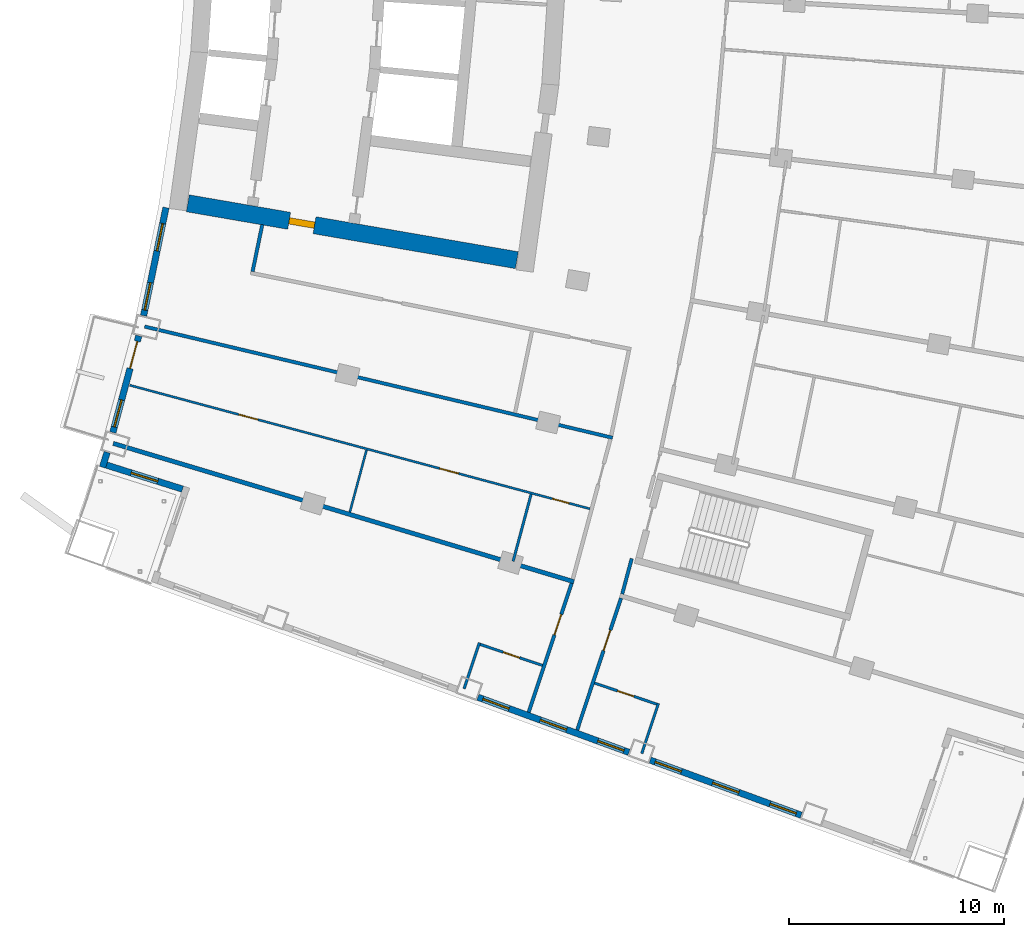
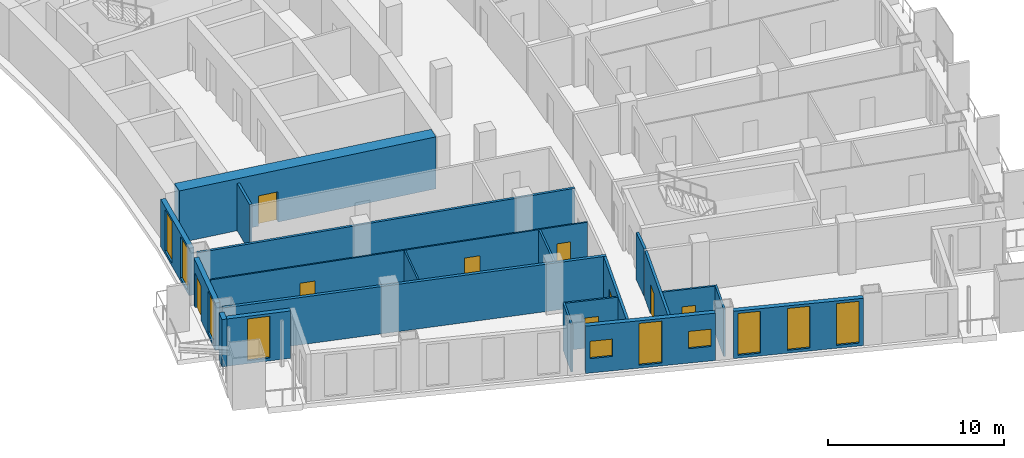
# One storey, part 13 of 24: 20 walls, 10 windows, 9 doors, 19 openings.
"""IFC4 building model written with IfcOpenShell, lengths in metres."""

from ifc_helpers import new_model, si_unit, direction, frame, frame_2d, origin, place, context, subcontext, project, spatial, rectangle, extrude, material, layer, layer_set, type_object, element, fill, save


model = new_model("IFC4")

# Units and contexts
model_context = context("Model", 3, precision=1e-05, world=origin(), true_north=direction((0.0, 1.0)))
body_context = subcontext(model_context, "Body", "Model", "MODEL_VIEW")
ifc_project = project(units=[si_unit("LENGTHUNIT", "METRE"), si_unit("AREAUNIT", "SQUARE_METRE"), si_unit("VOLUMEUNIT", "CUBIC_METRE"), si_unit("PLANEANGLEUNIT", "RADIAN"), si_unit("MASSUNIT", "GRAM", prefix="KILO")], contexts=[model_context])

# Site, building, storey
site_placement = place(None, origin())
site = spatial("IfcSite", under=ifc_project, at=site_placement, CompositionType="ELEMENT")
building_placement = place(site_placement, origin())
building = spatial("IfcBuilding", under=site, at=building_placement, Name="Alderwake Tower", CompositionType="ELEMENT")
storey_placement = place(building_placement, frame((0.0, 0.0, 96.800048828125)))
storey = spatial("IfcBuildingStorey", under=building, at=storey_placement, Name="L23", CompositionType="ELEMENT", Elevation=96.800048828125)

# Wall, opening, door
ifc_material_1 = material(Name="Concrete C70/85", Category="concrete")
ifc_layer_1 = layer(ifc_material_1, 0.800048828125)
ifc_layer_set_1 = layer_set([ifc_layer_1], Name="Core wall outer 800 C70-85")
wall_type_1 = type_object("IfcWallType", Name="Core wall outer 800 C70-85", PredefinedType="SHEAR", material=ifc_layer_set_1)
wall_1_placement = place(storey_placement, frame((31.20458984375, 41.776611328125, 0.0), z_axis=(0.0, 0.0, 1.0), x_axis=(-0.985386537175, 0.170333121719, 0.0)))
wall_1 = element("IfcWall", 1, at=wall_1_placement, inside=storey, type_object=wall_type_1, Name="Core wall CW.071", PredefinedType="SHEAR", context=body_context, shape_type="SweptSolid", body=[
    extrude(rectangle(XDim=15.537109375, YDim=0.800048828125, at=frame_2d((7.7685546875, 0.0))), origin(), (0.0, 0.0, 1.0), 3.599853515625),
])
opening_1_placement = place(wall_1_placement, frame((9.5537109375, 0.0, 0.0)))
opening_1 = element("IfcOpeningElement", 2, at=opening_1_placement, cuts=wall_1, Name="Opening C003", PredefinedType="OPENING", context=body_context, shape_type="SweptSolid", body=[
    extrude(rectangle(XDim=1.199951171875, YDim=2.10009765625, at=frame_2d((0.60009765625, 1.050048828125))), frame((0.0, 0.409912109375, 0.0), z_axis=(0.0, -1.0, 0.0), x_axis=(1.0, 0.0, 0.0)), (0.0, 0.0, 1.0), 0.820068359375),
])
ifc_material_2 = material(Name="Steel-framed fire door leaf", Category="steel")
door_type_1 = type_object("IfcDoorType", Name="Core lobby exit door 1200 fire-rated", OperationType="SINGLE_SWING_LEFT", PredefinedType="DOOR", material=ifc_material_2)
door_1_placement = place(opening_1_placement, origin())
door_1 = element("IfcDoor", 3, at=door_1_placement, inside=storey, type_object=door_type_1, Name="Lobby door", OperationType="SINGLE_SWING_LEFT", OverallHeight=2.10009765625, OverallWidth=1.199951171875, PredefinedType="DOOR", context=body_context, shape_type="SweptSolid", body=[
    extrude(rectangle(XDim=1.199951171875, YDim=2.10009765625, at=frame_2d((0.60009765625, 1.050048828125))), frame((0.0, 0.14990234375, 0.0), z_axis=(0.0, -1.0, 0.0), x_axis=(1.0, 0.0, 0.0)), (0.0, 0.0, 1.0), 0.300048828125),
])
fill(opening_1, door_1)

# Walls
ifc_material_3 = material(Name="Gypsum board on metal studs, rated")
ifc_layer_2 = layer(ifc_material_3, 0.159912109375)
ifc_layer_set_2 = layer_set([ifc_layer_2], Name="Corridor wall 160")
wall_type_2 = type_object("IfcWallType", Name="Corridor wall 160", PredefinedType="PARTITIONING", material=ifc_layer_set_2)
wall_2_placement = place(storey_placement, frame((13.884033203125, 38.68798828125, 0.0), z_axis=(0.0, 0.0, 1.0), x_axis=(0.972893462073, -0.231253781493, 0.0)))
element("IfcWall", 4, at=wall_2_placement, inside=storey, type_object=wall_type_2, Name="WL/L23/W18", PredefinedType="PARTITIONING", context=body_context, shape_type="SweptSolid", body=[
    extrude(rectangle(XDim=22.38037109375, YDim=0.159912109375, at=frame_2d((11.190185546875, 0.0))), origin(), (0.0, 0.0, 1.0), 3.280029296875),
])
wall_3_placement = place(storey_placement, frame((19.35888671875, 43.430908203125, 0.0), z_axis=(0.0, 0.0, 1.0), x_axis=(-0.202554916658, -0.979270905183, 0.0)))
element("IfcWall", 5, at=wall_3_placement, inside=storey, type_object=wall_type_2, Name="WL/L23/W22", PredefinedType="PARTITIONING", context=body_context, shape_type="SweptSolid", body=[
    extrude(rectangle(XDim=2.229736328125, YDim=0.159912109375, at=frame_2d((1.11474609375, 0.0))), origin(), (0.0, 0.0, 1.0), 3.280029296875),
])

# Wall, opening, door
wall_4_placement = place(storey_placement, frame((31.7548828125, 20.739013671875, 0.0), z_axis=(0.0, 0.0, 1.0), x_axis=(0.31554473692, 0.948910701279, 0.0)))
wall_4 = element("IfcWall", 6, at=wall_4_placement, inside=storey, type_object=wall_type_2, Name="WL/L23/W24", PredefinedType="PARTITIONING", context=body_context, shape_type="SweptSolid", body=[
    extrude(rectangle(XDim=6.327392578125, YDim=0.159912109375, at=frame_2d((3.16357421875, 0.0))), origin(), (0.0, 0.0, 1.0), 3.280029296875),
])
opening_2_placement = place(wall_4_placement, frame((3.799072265625, 0.0, 0.0)))
opening_2 = element("IfcOpeningElement", 7, at=opening_2_placement, cuts=wall_4, Name="Opening R06-U12.1", PredefinedType="OPENING", context=body_context, shape_type="SweptSolid", body=[
    extrude(rectangle(XDim=1.0, YDim=2.10009765625, at=frame_2d((0.5, 1.050048828125))), frame((0.0, 0.08984375, 0.0), z_axis=(0.0, -1.0, 0.0), x_axis=(1.0, 0.0, 0.0)), (0.0, 0.0, 1.0), 0.179931640625),
])
ifc_material_4 = material(Name="Solid timber leaf in steel frame", Category="steel")
door_type_2 = type_object("IfcDoorType", Name="Flat entrance door 1000 fire-rated", OperationType="SINGLE_SWING_LEFT", PredefinedType="DOOR", material=ifc_material_4)
door_2_placement = place(opening_2_placement, origin())
door_2 = element("IfcDoor", 8, at=door_2_placement, inside=storey, type_object=door_type_2, Name="DR/L23/U12.1", OperationType="SINGLE_SWING_LEFT", OverallHeight=2.10009765625, OverallWidth=1.0, PredefinedType="DOOR", context=body_context, shape_type="SweptSolid", body=[
    extrude(rectangle(XDim=1.0, YDim=2.10009765625, at=frame_2d((0.5, 1.050048828125))), frame((0.0, 0.02490234375, 0.0), z_axis=(0.0, -1.0, 0.0), x_axis=(1.0, 0.0, 0.0)), (0.0, 0.0, 1.0), 0.050048828125),
])
fill(opening_2, door_2)

wall_5_placement = place(storey_placement, frame((36.049560546875, 26.052978515625, 0.0), z_axis=(0.0, 0.0, 1.0), x_axis=(-0.315151894598, -0.949041244273, 0.0)))
wall_5 = element("IfcWall", 9, at=wall_5_placement, inside=storey, type_object=wall_type_2, Name="WL/L23/W27", PredefinedType="PARTITIONING", context=body_context, shape_type="SweptSolid", body=[
    extrude(rectangle(XDim=6.468505859375, YDim=0.159912109375, at=frame_2d((3.234375, 0.0))), origin(), (0.0, 0.0, 1.0), 3.280029296875),
])
opening_3_placement = place(wall_5_placement, frame((1.570068359375, 0.0, 0.0)))
opening_3 = element("IfcOpeningElement", 10, at=opening_3_placement, cuts=wall_5, Name="Opening R06-U03.1", PredefinedType="OPENING", context=body_context, shape_type="SweptSolid", body=[
    extrude(rectangle(XDim=1.0, YDim=2.10009765625, at=frame_2d((0.5, 1.050048828125))), frame((0.0, 0.08984375, 0.0), z_axis=(0.0, -1.0, 0.0), x_axis=(1.0, 0.0, 0.0)), (0.0, 0.0, 1.0), 0.179931640625),
])
door_3_placement = place(opening_3_placement, origin())
door_3 = element("IfcDoor", 11, at=door_3_placement, inside=storey, type_object=door_type_2, Name="DR/L23/U03.1", OperationType="SINGLE_SWING_LEFT", OverallHeight=2.10009765625, OverallWidth=1.0, PredefinedType="DOOR", context=body_context, shape_type="SweptSolid", body=[
    extrude(rectangle(XDim=1.0, YDim=2.10009765625, at=frame_2d((0.5, 1.050048828125))), frame((0.0, 0.02490234375, 0.0), z_axis=(0.0, -1.0, 0.0), x_axis=(1.0, 0.0, 0.0)), (0.0, 0.0, 1.0), 0.050048828125),
])
fill(opening_3, door_3)

# Walls
wall_6_placement = place(storey_placement, frame((36.10693359375, 26.24462890625, 0.0), z_axis=(0.0, 0.0, 1.0), x_axis=(0.259346865847, 0.965784242559, 0.0)))
element("IfcWall", 12, at=wall_6_placement, inside=storey, type_object=wall_type_2, Name="WL/L23/W29", PredefinedType="PARTITIONING", context=body_context, shape_type="SweptSolid", body=[
    extrude(rectangle(XDim=1.704833984375, YDim=0.159912109375, at=frame_2d((0.8525390625, 0.0))), origin(), (0.0, 0.0, 1.0), 3.280029296875),
])
ifc_material_5 = material(Name="Precast concrete C50/60 spandrel panel", Category="concrete")
ifc_layer_3 = layer(ifc_material_5, 0.300048828125)
ifc_layer_set_3 = layer_set([ifc_layer_3], Name="External wall EW1 Precast concrete C50/60 spandrel")
wall_type_3 = type_object("IfcWallType", Name="External wall EW1 Precast concrete C50/60 spandrel", PredefinedType="SOLIDWALL", material=ifc_layer_set_3)
wall_7_placement = place(storey_placement, frame((12.14013671875, 32.83837890625, 0.0), z_axis=(0.0, 0.0, 1.0), x_axis=(-0.294604532955, -0.955619259518, 0.0)))
element("IfcWall", 13, at=wall_7_placement, inside=storey, type_object=wall_type_3, Name="External wall 1", PredefinedType="SOLIDWALL", context=body_context, shape_type="SweptSolid", body=[
    extrude(rectangle(XDim=0.7275390625, YDim=0.300048828125, at=frame_2d((0.36376953125, 0.0))), origin(), (0.0, 0.0, 1.0), 3.280029296875),
])

# Wall, openings, windows
wall_8_placement = place(storey_placement, frame((14.878173828125, 44.223388671875, 0.0), z_axis=(0.0, 0.0, 1.0), x_axis=(-0.202723539143, -0.979236011734, 0.0)))
wall_8 = element("IfcWall", 14, at=wall_8_placement, inside=storey, type_object=wall_type_3, Name="External wall 35", PredefinedType="SOLIDWALL", context=body_context, shape_type="SweptSolid", body=[
    extrude(rectangle(XDim=5.134033203125, YDim=0.300048828125, at=frame_2d((2.56689453125, 0.0))), origin(), (0.0, 0.0, 1.0), 3.280029296875),
])
opening_4_placement = place(wall_8_placement, frame((0.75634765625, 0.0, 0.199951171875)))
opening_4 = element("IfcOpeningElement", 15, at=opening_4_placement, cuts=wall_8, Name="Opening W1", PredefinedType="OPENING", context=body_context, shape_type="SweptSolid", body=[
    extrude(rectangle(XDim=1.300048828125, YDim=2.89990234375, at=frame_2d((0.64990234375, 1.449951171875))), frame((0.0, 0.159912109375, 0.0), z_axis=(0.0, -1.0, 0.0), x_axis=(1.0, 0.0, 0.0)), (0.0, 0.0, 1.0), 0.320068359375),
])
opening_5_placement = place(wall_8_placement, frame((3.569091796875, 0.0, 0.199951171875)))
opening_5 = element("IfcOpeningElement", 16, at=opening_5_placement, cuts=wall_8, Name="Opening W1", PredefinedType="OPENING", context=body_context, shape_type="SweptSolid", body=[
    extrude(rectangle(XDim=1.300048828125, YDim=2.89990234375, at=frame_2d((0.64990234375, 1.449951171875))), frame((0.0, 0.159912109375, 0.0), z_axis=(0.0, -1.0, 0.0), x_axis=(1.0, 0.0, 0.0)), (0.0, 0.0, 1.0), 0.320068359375),
])
ifc_material_6 = material(Name="Bronze tinted glass in aluminium frame", Category="aluminium")
window_type_1 = type_object("IfcWindowType", Name="Window W1 tall fixed and vent", PartitioningType="DOUBLE_PANEL_VERTICAL", PredefinedType="WINDOW", material=ifc_material_6)
window_1_placement = place(opening_4_placement, origin())
window_1 = element("IfcWindow", 17, at=window_1_placement, inside=storey, type_object=window_type_1, Name="Window W1 tall fixed and vent", OverallHeight=2.89990234375, OverallWidth=1.300048828125, PartitioningType="DOUBLE_PANEL_VERTICAL", PredefinedType="WINDOW", context=body_context, shape_type="SweptSolid", body=[
    extrude(rectangle(XDim=1.300048828125, YDim=2.89990234375, at=frame_2d((0.64990234375, 1.449951171875))), frame((0.0, 0.030029296875, 0.0), z_axis=(0.0, -1.0, 0.0), x_axis=(1.0, 0.0, 0.0)), (0.0, 0.0, 1.0), 0.06005859375),
])
fill(opening_4, window_1)
window_2_placement = place(opening_5_placement, origin())
window_2 = element("IfcWindow", 18, at=window_2_placement, inside=storey, type_object=window_type_1, Name="Window W1 tall fixed and vent", OverallHeight=2.89990234375, OverallWidth=1.300048828125, PartitioningType="DOUBLE_PANEL_VERTICAL", PredefinedType="WINDOW", context=body_context, shape_type="SweptSolid", body=[
    extrude(rectangle(XDim=1.300048828125, YDim=2.89990234375, at=frame_2d((0.64990234375, 1.449951171875))), frame((0.0, 0.030029296875, 0.0), z_axis=(0.0, -1.0, 0.0), x_axis=(1.0, 0.0, 0.0)), (0.0, 0.0, 1.0), 0.06005859375),
])
fill(opening_5, window_2)

# Wall, openings, door, window
wall_9_placement = place(storey_placement, frame((13.61328125, 38.254150390625, 0.0), z_axis=(0.0, 0.0, 1.0), x_axis=(-0.259468933642, -0.965751454814, 0.0)))
wall_9 = element("IfcWall", 19, at=wall_9_placement, inside=storey, type_object=wall_type_3, Name="External wall 36", PredefinedType="SOLIDWALL", context=body_context, shape_type="SweptSolid", body=[
    extrude(rectangle(XDim=4.65087890625, YDim=0.300048828125, at=frame_2d((2.325439453125, 0.0))), origin(), (0.0, 0.0, 1.0), 3.280029296875),
])
opening_6_placement = place(wall_9_placement, frame((0.26708984375, 0.0, 0.0)))
opening_6 = element("IfcOpeningElement", 20, at=opening_6_placement, cuts=wall_9, Name="Opening D15", PredefinedType="OPENING", context=body_context, shape_type="SweptSolid", body=[
    extrude(rectangle(XDim=1.300048828125, YDim=2.39990234375, at=frame_2d((0.64990234375, 1.199951171875))), frame((0.0, 0.159912109375, 0.0), z_axis=(0.0, -1.0, 0.0), x_axis=(1.0, 0.0, 0.0)), (0.0, 0.0, 1.0), 0.320068359375),
])
opening_7_placement = place(wall_9_placement, frame((3.083984375, 0.0, 0.199951171875)))
opening_7 = element("IfcOpeningElement", 21, at=opening_7_placement, cuts=wall_9, Name="Opening W1", PredefinedType="OPENING", context=body_context, shape_type="SweptSolid", body=[
    extrude(rectangle(XDim=1.300048828125, YDim=2.89990234375, at=frame_2d((0.64990234375, 1.449951171875))), frame((0.0, 0.159912109375, 0.0), z_axis=(0.0, -1.0, 0.0), x_axis=(1.0, 0.0, 0.0)), (0.0, 0.0, 1.0), 0.320068359375),
])
ifc_material_7 = material(Name="Bronze tinted glass in aluminium frame", Category="aluminium")
door_type_3 = type_object("IfcDoorType", Name="Balcony door BD sliding", OperationType="SLIDING_TO_LEFT", PredefinedType="DOOR", material=ifc_material_7)
door_4_placement = place(opening_6_placement, origin())
door_4 = element("IfcDoor", 22, at=door_4_placement, inside=storey, type_object=door_type_3, Name="Door D15", OperationType="SLIDING_TO_LEFT", OverallHeight=2.39990234375, OverallWidth=1.300048828125, PredefinedType="DOOR", context=body_context, shape_type="SweptSolid", body=[
    extrude(rectangle(XDim=1.300048828125, YDim=2.39990234375, at=frame_2d((0.64990234375, 1.199951171875))), frame((0.0, 0.02490234375, 0.0), z_axis=(0.0, -1.0, 0.0), x_axis=(1.0, 0.0, 0.0)), (0.0, 0.0, 1.0), 0.050048828125),
])
fill(opening_6, door_4)
window_3_placement = place(opening_7_placement, origin())
window_3 = element("IfcWindow", 23, at=window_3_placement, inside=storey, type_object=window_type_1, Name="Window W1 tall fixed and vent", OverallHeight=2.89990234375, OverallWidth=1.300048828125, PartitioningType="DOUBLE_PANEL_VERTICAL", PredefinedType="WINDOW", context=body_context, shape_type="SweptSolid", body=[
    extrude(rectangle(XDim=1.300048828125, YDim=2.89990234375, at=frame_2d((0.64990234375, 1.449951171875))), frame((0.0, 0.030029296875, 0.0), z_axis=(0.0, -1.0, 0.0), x_axis=(1.0, 0.0, 0.0)), (0.0, 0.0, 1.0), 0.06005859375),
])
fill(opening_7, window_3)

# Wall, opening, window
ifc_material_8 = material(Name="Bronze metal cladding on lightweight framing")
ifc_layer_4 = layer(ifc_material_8, 0.300048828125)
ifc_layer_set_4 = layer_set([ifc_layer_4], Name="External wall EW2 bronze metal cladding")
wall_type_4 = type_object("IfcWallType", Name="External wall EW2 bronze metal cladding", PredefinedType="SOLIDWALL", material=ifc_layer_set_4)
wall_10_placement = place(storey_placement, frame((12.113037109375, 32.2412109375, 0.0), z_axis=(0.0, 0.0, 1.0), x_axis=(0.953458128271, -0.301525451054, 0.0)))
wall_10 = element("IfcWall", 24, at=wall_10_placement, inside=storey, type_object=wall_type_4, Name="External wall 2", PredefinedType="SOLIDWALL", context=body_context, shape_type="SweptSolid", body=[
    extrude(rectangle(XDim=3.705810546875, YDim=0.300048828125, at=frame_2d((1.85302734375, 0.0))), origin(), (0.0, 0.0, 1.0), 3.280029296875),
])
opening_8_placement = place(wall_10_placement, frame((1.202880859375, 0.0, 0.199951171875)))
opening_8 = element("IfcOpeningElement", 25, at=opening_8_placement, cuts=wall_10, Name="Opening W1", PredefinedType="OPENING", context=body_context, shape_type="SweptSolid", body=[
    extrude(rectangle(XDim=1.300048828125, YDim=2.89990234375, at=frame_2d((0.64990234375, 1.449951171875))), frame((0.0, 0.159912109375, 0.0), z_axis=(0.0, -1.0, 0.0), x_axis=(1.0, 0.0, 0.0)), (0.0, 0.0, 1.0), 0.320068359375),
])
window_4_placement = place(opening_8_placement, origin())
window_4 = element("IfcWindow", 26, at=window_4_placement, inside=storey, type_object=window_type_1, Name="Window W1 tall fixed and vent", OverallHeight=2.89990234375, OverallWidth=1.300048828125, PartitioningType="DOUBLE_PANEL_VERTICAL", PredefinedType="WINDOW", context=body_context, shape_type="SweptSolid", body=[
    extrude(rectangle(XDim=1.300048828125, YDim=2.89990234375, at=frame_2d((0.64990234375, 1.449951171875))), frame((0.0, 0.030029296875, 0.0), z_axis=(0.0, -1.0, 0.0), x_axis=(1.0, 0.0, 0.0)), (0.0, 0.0, 1.0), 0.06005859375),
])
fill(opening_8, window_4)

# Wall, openings, windows
wall_11_placement = place(storey_placement, frame((29.39306640625, 21.44091796875, 0.0), z_axis=(0.0, 0.0, 1.0), x_axis=(0.939370505087, -0.342903855582, 0.0)))
wall_11 = element("IfcWall", 27, at=wall_11_placement, inside=storey, type_object=wall_type_4, Name="External wall 6", PredefinedType="SOLIDWALL", context=body_context, shape_type="SweptSolid", body=[
    extrude(rectangle(XDim=7.479248046875, YDim=0.300048828125, at=frame_2d((3.73974609375, 0.0))), origin(), (0.0, 0.0, 1.0), 3.280029296875),
])
opening_9_placement = place(wall_11_placement, frame((0.2451171875, 0.0, 1.0)))
opening_9 = element("IfcOpeningElement", 28, at=opening_9_placement, cuts=wall_11, Name="Opening W2", PredefinedType="OPENING", context=body_context, shape_type="SweptSolid", body=[
    extrude(rectangle(XDim=1.300048828125, YDim=1.199951171875, at=frame_2d((0.64990234375, 0.60009765625))), frame((0.0, 0.159912109375, 0.0), z_axis=(0.0, -1.0, 0.0), x_axis=(1.0, 0.0, 0.0)), (0.0, 0.0, 1.0), 0.320068359375),
])
opening_10_placement = place(wall_11_placement, frame((3.089599609375, 0.0, 0.199951171875)))
opening_10 = element("IfcOpeningElement", 29, at=opening_10_placement, cuts=wall_11, Name="Opening W1", PredefinedType="OPENING", context=body_context, shape_type="SweptSolid", body=[
    extrude(rectangle(XDim=1.300048828125, YDim=2.89990234375, at=frame_2d((0.64990234375, 1.449951171875))), frame((0.0, 0.159912109375, 0.0), z_axis=(0.0, -1.0, 0.0), x_axis=(1.0, 0.0, 0.0)), (0.0, 0.0, 1.0), 0.320068359375),
])
opening_11_placement = place(wall_11_placement, frame((5.93408203125, 0.0, 1.0)))
opening_11 = element("IfcOpeningElement", 30, at=opening_11_placement, cuts=wall_11, Name="Opening W2", PredefinedType="OPENING", context=body_context, shape_type="SweptSolid", body=[
    extrude(rectangle(XDim=1.300048828125, YDim=1.199951171875, at=frame_2d((0.64990234375, 0.60009765625))), frame((0.0, 0.159912109375, 0.0), z_axis=(0.0, -1.0, 0.0), x_axis=(1.0, 0.0, 0.0)), (0.0, 0.0, 1.0), 0.320068359375),
])
window_5_placement = place(opening_10_placement, origin())
window_5 = element("IfcWindow", 31, at=window_5_placement, inside=storey, type_object=window_type_1, Name="Window W1 tall fixed and vent", OverallHeight=2.89990234375, OverallWidth=1.300048828125, PartitioningType="DOUBLE_PANEL_VERTICAL", PredefinedType="WINDOW", context=body_context, shape_type="SweptSolid", body=[
    extrude(rectangle(XDim=1.300048828125, YDim=2.89990234375, at=frame_2d((0.64990234375, 1.449951171875))), frame((0.0, 0.030029296875, 0.0), z_axis=(0.0, -1.0, 0.0), x_axis=(1.0, 0.0, 0.0)), (0.0, 0.0, 1.0), 0.06005859375),
])
fill(opening_10, window_5)
ifc_material_9 = material(Name="Bronze tinted glass in aluminium frame", Category="aluminium")
window_type_2 = type_object("IfcWindowType", Name="Window W2 kitchen and bath", PartitioningType="SINGLE_PANEL", PredefinedType="WINDOW", material=ifc_material_9)
window_6_placement = place(opening_9_placement, origin())
window_6 = element("IfcWindow", 32, at=window_6_placement, inside=storey, type_object=window_type_2, Name="Window W2 kitchen and bath", OverallHeight=1.199951171875, OverallWidth=1.300048828125, PartitioningType="SINGLE_PANEL", PredefinedType="WINDOW", context=body_context, shape_type="SweptSolid", body=[
    extrude(rectangle(XDim=1.300048828125, YDim=1.199951171875, at=frame_2d((0.64990234375, 0.60009765625))), frame((0.0, 0.030029296875, 0.0), z_axis=(0.0, -1.0, 0.0), x_axis=(1.0, 0.0, 0.0)), (0.0, 0.0, 1.0), 0.06005859375),
])
fill(opening_9, window_6)
window_7_placement = place(opening_11_placement, origin())
window_7 = element("IfcWindow", 33, at=window_7_placement, inside=storey, type_object=window_type_2, Name="Window W2 kitchen and bath", OverallHeight=1.199951171875, OverallWidth=1.300048828125, PartitioningType="SINGLE_PANEL", PredefinedType="WINDOW", context=body_context, shape_type="SweptSolid", body=[
    extrude(rectangle(XDim=1.300048828125, YDim=1.199951171875, at=frame_2d((0.64990234375, 0.60009765625))), frame((0.0, 0.030029296875, 0.0), z_axis=(0.0, -1.0, 0.0), x_axis=(1.0, 0.0, 0.0)), (0.0, 0.0, 1.0), 0.06005859375),
])
fill(opening_11, window_7)

wall_12_placement = place(storey_placement, frame((37.4091796875, 18.514892578125, 0.0), z_axis=(0.0, 0.0, 1.0), x_axis=(0.939370505087, -0.342903855582, 0.0)))
wall_12 = element("IfcWall", 34, at=wall_12_placement, inside=storey, type_object=wall_type_4, Name="External wall 7", PredefinedType="SOLIDWALL", context=body_context, shape_type="SweptSolid", body=[
    extrude(rectangle(XDim=7.479248046875, YDim=0.300048828125, at=frame_2d((3.73974609375, 0.0))), origin(), (0.0, 0.0, 1.0), 3.280029296875),
])
opening_12_placement = place(wall_12_placement, frame((0.2451171875, 0.0, 0.199951171875)))
opening_12 = element("IfcOpeningElement", 35, at=opening_12_placement, cuts=wall_12, Name="Opening W1", PredefinedType="OPENING", context=body_context, shape_type="SweptSolid", body=[
    extrude(rectangle(XDim=1.300048828125, YDim=2.89990234375, at=frame_2d((0.64990234375, 1.449951171875))), frame((0.0, 0.159912109375, 0.0), z_axis=(0.0, -1.0, 0.0), x_axis=(1.0, 0.0, 0.0)), (0.0, 0.0, 1.0), 0.320068359375),
])
opening_13_placement = place(wall_12_placement, frame((3.089599609375, 0.0, 0.199951171875)))
opening_13 = element("IfcOpeningElement", 36, at=opening_13_placement, cuts=wall_12, Name="Opening W1", PredefinedType="OPENING", context=body_context, shape_type="SweptSolid", body=[
    extrude(rectangle(XDim=1.300048828125, YDim=2.89990234375, at=frame_2d((0.64990234375, 1.449951171875))), frame((0.0, 0.159912109375, 0.0), z_axis=(0.0, -1.0, 0.0), x_axis=(1.0, 0.0, 0.0)), (0.0, 0.0, 1.0), 0.320068359375),
])
opening_14_placement = place(wall_12_placement, frame((5.93408203125, 0.0, 0.199951171875)))
opening_14 = element("IfcOpeningElement", 37, at=opening_14_placement, cuts=wall_12, Name="Opening W1", PredefinedType="OPENING", context=body_context, shape_type="SweptSolid", body=[
    extrude(rectangle(XDim=1.300048828125, YDim=2.89990234375, at=frame_2d((0.64990234375, 1.449951171875))), frame((0.0, 0.159912109375, 0.0), z_axis=(0.0, -1.0, 0.0), x_axis=(1.0, 0.0, 0.0)), (0.0, 0.0, 1.0), 0.320068359375),
])
window_8_placement = place(opening_12_placement, origin())
window_8 = element("IfcWindow", 38, at=window_8_placement, inside=storey, type_object=window_type_1, Name="Window W1 tall fixed and vent", OverallHeight=2.89990234375, OverallWidth=1.300048828125, PartitioningType="DOUBLE_PANEL_VERTICAL", PredefinedType="WINDOW", context=body_context, shape_type="SweptSolid", body=[
    extrude(rectangle(XDim=1.300048828125, YDim=2.89990234375, at=frame_2d((0.64990234375, 1.449951171875))), frame((0.0, 0.030029296875, 0.0), z_axis=(0.0, -1.0, 0.0), x_axis=(1.0, 0.0, 0.0)), (0.0, 0.0, 1.0), 0.06005859375),
])
fill(opening_12, window_8)
window_9_placement = place(opening_13_placement, origin())
window_9 = element("IfcWindow", 39, at=window_9_placement, inside=storey, type_object=window_type_1, Name="Window W1 tall fixed and vent", OverallHeight=2.89990234375, OverallWidth=1.300048828125, PartitioningType="DOUBLE_PANEL_VERTICAL", PredefinedType="WINDOW", context=body_context, shape_type="SweptSolid", body=[
    extrude(rectangle(XDim=1.300048828125, YDim=2.89990234375, at=frame_2d((0.64990234375, 1.449951171875))), frame((0.0, 0.030029296875, 0.0), z_axis=(0.0, -1.0, 0.0), x_axis=(1.0, 0.0, 0.0)), (0.0, 0.0, 1.0), 0.06005859375),
])
fill(opening_13, window_9)
window_10_placement = place(opening_14_placement, origin())
window_10 = element("IfcWindow", 40, at=window_10_placement, inside=storey, type_object=window_type_1, Name="Window W1 tall fixed and vent", OverallHeight=2.89990234375, OverallWidth=1.300048828125, PartitioningType="DOUBLE_PANEL_VERTICAL", PredefinedType="WINDOW", context=body_context, shape_type="SweptSolid", body=[
    extrude(rectangle(XDim=1.300048828125, YDim=2.89990234375, at=frame_2d((0.64990234375, 1.449951171875))), frame((0.0, 0.030029296875, 0.0), z_axis=(0.0, -1.0, 0.0), x_axis=(1.0, 0.0, 0.0)), (0.0, 0.0, 1.0), 0.06005859375),
])
fill(opening_14, window_10)

# Wall
ifc_material_10 = material(Name="Dense block masonry wall", Category="masonry")
ifc_layer_5 = layer(ifc_material_10, 0.199951171875)
ifc_layer_set_5 = layer_set([ifc_layer_5], Name="Party wall 200")
wall_type_5 = type_object("IfcWallType", Name="Party wall 200", PredefinedType="SOLIDWALL", material=ifc_layer_set_5)
wall_13_placement = place(storey_placement, frame((33.859619140625, 26.81494140625, 0.0), z_axis=(0.0, 0.0, 1.0), x_axis=(-0.95775179957, 0.287596054251, 0.0)))
element("IfcWall", 41, at=wall_13_placement, inside=storey, type_object=wall_type_5, Name="WL/L23/W03", PredefinedType="SOLIDWALL", context=body_context, shape_type="SweptSolid", body=[
    extrude(rectangle(XDim=22.382080078125, YDim=0.199951171875, at=frame_2d((11.19091796875, 0.0))), origin(), (0.0, 0.0, 1.0), 3.280029296875),
])

# Wall, openings, doors
ifc_material_11 = material(Name="Gypsum board on metal studs")
ifc_layer_6 = layer(ifc_material_11, 0.10009765625)
ifc_layer_set_6 = layer_set([ifc_layer_6], Name="Unit partition 100")
wall_type_6 = type_object("IfcWallType", Name="Unit partition 100", PredefinedType="PARTITIONING", material=ifc_layer_set_6)
wall_14_placement = place(storey_placement, frame((34.605712890625, 30.206787109375, 0.0), z_axis=(0.0, 0.0, 1.0), x_axis=(-0.965767846078, 0.259407917152, 0.0)))
wall_14 = element("IfcWall", 42, at=wall_14_placement, inside=storey, type_object=wall_type_6, Name="WL/L23/W70", PredefinedType="PARTITIONING", context=body_context, shape_type="SweptSolid", body=[
    extrude(rectangle(XDim=22.170654296875, YDim=0.10009765625, at=frame_2d((11.08544921875, 0.0))), origin(), (0.0, 0.0, 1.0), 3.280029296875),
])
opening_15_placement = place(wall_14_placement, frame((6.335205078125, 0.0, 0.0)))
opening_15 = element("IfcOpeningElement", 43, at=opening_15_placement, cuts=wall_14, Name="Opening R06-U13.1", PredefinedType="OPENING", context=body_context, shape_type="SweptSolid", body=[
    extrude(rectangle(XDim=0.89990234375, YDim=2.10009765625, at=frame_2d((0.449951171875, 1.050048828125))), frame((0.0, 0.06005859375, 0.0), z_axis=(0.0, -1.0, 0.0), x_axis=(1.0, 0.0, 0.0)), (0.0, 0.0, 1.0), 0.1201171875),
])
opening_16_placement = place(wall_14_placement, frame((1.010009765625, 0.0, 0.0)))
opening_16 = element("IfcOpeningElement", 44, at=opening_16_placement, cuts=wall_14, Name="Opening R06-U13.3", PredefinedType="OPENING", context=body_context, shape_type="SweptSolid", body=[
    extrude(rectangle(XDim=0.800048828125, YDim=2.10009765625, at=frame_2d((0.39990234375, 1.050048828125))), frame((0.0, 0.06005859375, 0.0), z_axis=(0.0, -1.0, 0.0), x_axis=(1.0, 0.0, 0.0)), (0.0, 0.0, 1.0), 0.1201171875),
])
opening_17_placement = place(wall_14_placement, frame((16.010498046875, 0.0, 0.0)))
opening_17 = element("IfcOpeningElement", 45, at=opening_17_placement, cuts=wall_14, Name="Opening R06-U13.4", PredefinedType="OPENING", context=body_context, shape_type="SweptSolid", body=[
    extrude(rectangle(XDim=0.89990234375, YDim=2.10009765625, at=frame_2d((0.449951171875, 1.050048828125))), frame((0.0, 0.06005859375, 0.0), z_axis=(0.0, -1.0, 0.0), x_axis=(1.0, 0.0, 0.0)), (0.0, 0.0, 1.0), 0.1201171875),
])
ifc_material_12 = material(Name="Painted timber leaf", Category="wood")
door_type_4 = type_object("IfcDoorType", Name="Bathroom door 800", OperationType="SINGLE_SWING_LEFT", PredefinedType="DOOR", material=ifc_material_12)
door_5_placement = place(opening_16_placement, origin())
door_5 = element("IfcDoor", 46, at=door_5_placement, inside=storey, type_object=door_type_4, Name="DR/L23/U13.3", OperationType="SINGLE_SWING_LEFT", OverallHeight=2.10009765625, OverallWidth=0.800048828125, PredefinedType="DOOR", context=body_context, shape_type="SweptSolid", body=[
    extrude(rectangle(XDim=0.800048828125, YDim=2.10009765625, at=frame_2d((0.39990234375, 1.050048828125))), frame((0.0, 0.02490234375, 0.0), z_axis=(0.0, -1.0, 0.0), x_axis=(1.0, 0.0, 0.0)), (0.0, 0.0, 1.0), 0.050048828125),
])
fill(opening_16, door_5)
ifc_material_13 = material(Name="Painted timber leaf", Category="wood")
door_type_5 = type_object("IfcDoorType", Name="Room door 900", OperationType="SINGLE_SWING_LEFT", PredefinedType="DOOR", material=ifc_material_13)
door_6_placement = place(opening_15_placement, origin())
door_6 = element("IfcDoor", 47, at=door_6_placement, inside=storey, type_object=door_type_5, Name="DR/L23/U13.1", OperationType="SINGLE_SWING_LEFT", OverallHeight=2.10009765625, OverallWidth=0.89990234375, PredefinedType="DOOR", context=body_context, shape_type="SweptSolid", body=[
    extrude(rectangle(XDim=0.89990234375, YDim=2.10009765625, at=frame_2d((0.449951171875, 1.050048828125))), frame((0.0, 0.02490234375, 0.0), z_axis=(0.0, -1.0, 0.0), x_axis=(1.0, 0.0, 0.0)), (0.0, 0.0, 1.0), 0.050048828125),
])
fill(opening_15, door_6)
door_7_placement = place(opening_17_placement, origin())
door_7 = element("IfcDoor", 48, at=door_7_placement, inside=storey, type_object=door_type_5, Name="DR/L23/U13.4", OperationType="SINGLE_SWING_LEFT", OverallHeight=2.10009765625, OverallWidth=0.89990234375, PredefinedType="DOOR", context=body_context, shape_type="SweptSolid", body=[
    extrude(rectangle(XDim=0.89990234375, YDim=2.10009765625, at=frame_2d((0.449951171875, 1.050048828125))), frame((0.0, 0.02490234375, 0.0), z_axis=(0.0, -1.0, 0.0), x_axis=(1.0, 0.0, 0.0)), (0.0, 0.0, 1.0), 0.050048828125),
])
fill(opening_17, door_7)

# Walls
wall_15_placement = place(storey_placement, frame((24.208984375, 32.94580078125, 0.0), z_axis=(0.0, 0.0, 1.0), x_axis=(-0.259310212645, -0.965794084481, 0.0)))
element("IfcWall", 49, at=wall_15_placement, inside=storey, type_object=wall_type_6, Name="WL/L23/W71", PredefinedType="PARTITIONING", context=body_context, shape_type="SweptSolid", body=[
    extrude(rectangle(XDim=2.996826171875, YDim=0.10009765625, at=frame_2d((1.49853515625, 0.0))), origin(), (0.0, 0.0, 1.0), 3.280029296875),
])
ifc_material_14 = material(Name="Moisture resistant gypsum board on metal studs")
ifc_layer_7 = layer(ifc_material_14, 0.1201171875)
ifc_layer_set_7 = layer_set([ifc_layer_7], Name="Wet room partition 120")
wall_type_7 = type_object("IfcWallType", Name="Wet room partition 120", PredefinedType="PARTITIONING", material=ifc_layer_set_7)
wall_16_placement = place(storey_placement, frame((29.4609375, 23.975830078125, 0.0), z_axis=(0.0, 0.0, 1.0), x_axis=(-0.31580536125, -0.948823995168, 0.0)))
element("IfcWall", 50, at=wall_16_placement, inside=storey, type_object=wall_type_7, Name="WL/L23/W48", PredefinedType="PARTITIONING", context=body_context, shape_type="SweptSolid", body=[
    extrude(rectangle(XDim=2.25439453125, YDim=0.1201171875, at=frame_2d((1.127197265625, 0.0))), origin(), (0.0, 0.0, 1.0), 3.280029296875),
])
wall_17_placement = place(storey_placement, frame((31.867919921875, 30.8876953125, 0.0), z_axis=(0.0, 0.0, 1.0), x_axis=(-0.259149206489, -0.96583729933, 0.0)))
element("IfcWall", 51, at=wall_17_placement, inside=storey, type_object=wall_type_7, Name="WL/L23/W51", PredefinedType="PARTITIONING", context=body_context, shape_type="SweptSolid", body=[
    extrude(rectangle(XDim=3.2294921875, YDim=0.1201171875, at=frame_2d((1.61474609375, 0.0))), origin(), (0.0, 0.0, 1.0), 3.280029296875),
])

# Wall, opening, door
wall_18_placement = place(storey_placement, frame((32.396240234375, 22.918701171875, 0.0), z_axis=(0.0, 0.0, 1.0), x_axis=(-0.947164130145, 0.320749295505, 0.0)))
wall_18 = element("IfcWall", 52, at=wall_18_placement, inside=storey, type_object=wall_type_7, Name="WL/L23/W52", PredefinedType="PARTITIONING", context=body_context, shape_type="SweptSolid", body=[
    extrude(rectangle(XDim=3.05908203125, YDim=0.1201171875, at=frame_2d((1.529541015625, 0.0))), origin(), (0.0, 0.0, 1.0), 3.280029296875),
])
opening_18_placement = place(wall_18_placement, frame((1.12939453125, 0.0, 0.0)))
opening_18 = element("IfcOpeningElement", 53, at=opening_18_placement, cuts=wall_18, Name="Opening R06-U12.2", PredefinedType="OPENING", context=body_context, shape_type="SweptSolid", body=[
    extrude(rectangle(XDim=0.800048828125, YDim=2.10009765625, at=frame_2d((0.39990234375, 1.050048828125))), frame((0.0, 0.070068359375, 0.0), z_axis=(0.0, -1.0, 0.0), x_axis=(1.0, 0.0, 0.0)), (0.0, 0.0, 1.0), 0.14013671875),
])
door_8_placement = place(opening_18_placement, origin())
door_8 = element("IfcDoor", 54, at=door_8_placement, inside=storey, type_object=door_type_4, Name="DR/L23/U12.2", OperationType="SINGLE_SWING_LEFT", OverallHeight=2.10009765625, OverallWidth=0.800048828125, PredefinedType="DOOR", context=body_context, shape_type="SweptSolid", body=[
    extrude(rectangle(XDim=0.800048828125, YDim=2.10009765625, at=frame_2d((0.39990234375, 1.050048828125))), frame((0.0, 0.02490234375, 0.0), z_axis=(0.0, -1.0, 0.0), x_axis=(1.0, 0.0, 0.0)), (0.0, 0.0, 1.0), 0.050048828125),
])
fill(opening_18, door_8)

# Wall
wall_19_placement = place(storey_placement, frame((37.01708984375, 18.819091796875, 0.0), z_axis=(0.0, 0.0, 1.0), x_axis=(0.314739948462, 0.949177941612, 0.0)))
element("IfcWall", 55, at=wall_19_placement, inside=storey, type_object=wall_type_7, Name="WL/L23/W54", PredefinedType="PARTITIONING", context=body_context, shape_type="SweptSolid", body=[
    extrude(rectangle(XDim=2.462158203125, YDim=0.1201171875, at=frame_2d((1.23095703125, 0.0))), origin(), (0.0, 0.0, 1.0), 3.280029296875),
])

# Wall, opening, door
wall_20_placement = place(storey_placement, frame((37.71630859375, 21.1181640625, 0.0), z_axis=(0.0, 0.0, 1.0), x_axis=(-0.947164130145, 0.320749295505, 0.0)))
wall_20 = element("IfcWall", 56, at=wall_20_placement, inside=storey, type_object=wall_type_7, Name="WL/L23/W55", PredefinedType="PARTITIONING", context=body_context, shape_type="SweptSolid", body=[
    extrude(rectangle(XDim=3.05908203125, YDim=0.1201171875, at=frame_2d((1.529541015625, 0.0))), origin(), (0.0, 0.0, 1.0), 3.280029296875),
])
opening_19_placement = place(wall_20_placement, frame((1.12939453125, 0.0, 0.0)))
opening_19 = element("IfcOpeningElement", 57, at=opening_19_placement, cuts=wall_20, Name="Opening R06-U03.2", PredefinedType="OPENING", context=body_context, shape_type="SweptSolid", body=[
    extrude(rectangle(XDim=0.800048828125, YDim=2.10009765625, at=frame_2d((0.39990234375, 1.050048828125))), frame((0.0, 0.070068359375, 0.0), z_axis=(0.0, -1.0, 0.0), x_axis=(1.0, 0.0, 0.0)), (0.0, 0.0, 1.0), 0.14013671875),
])
door_9_placement = place(opening_19_placement, origin())
door_9 = element("IfcDoor", 58, at=door_9_placement, inside=storey, type_object=door_type_4, Name="DR/L23/U03.2", OperationType="SINGLE_SWING_LEFT", OverallHeight=2.10009765625, OverallWidth=0.800048828125, PredefinedType="DOOR", context=body_context, shape_type="SweptSolid", body=[
    extrude(rectangle(XDim=0.800048828125, YDim=2.10009765625, at=frame_2d((0.39990234375, 1.050048828125))), frame((0.0, 0.02490234375, 0.0), z_axis=(0.0, -1.0, 0.0), x_axis=(1.0, 0.0, 0.0)), (0.0, 0.0, 1.0), 0.050048828125),
])
fill(opening_19, door_9)

save(model, "model.ifc")
